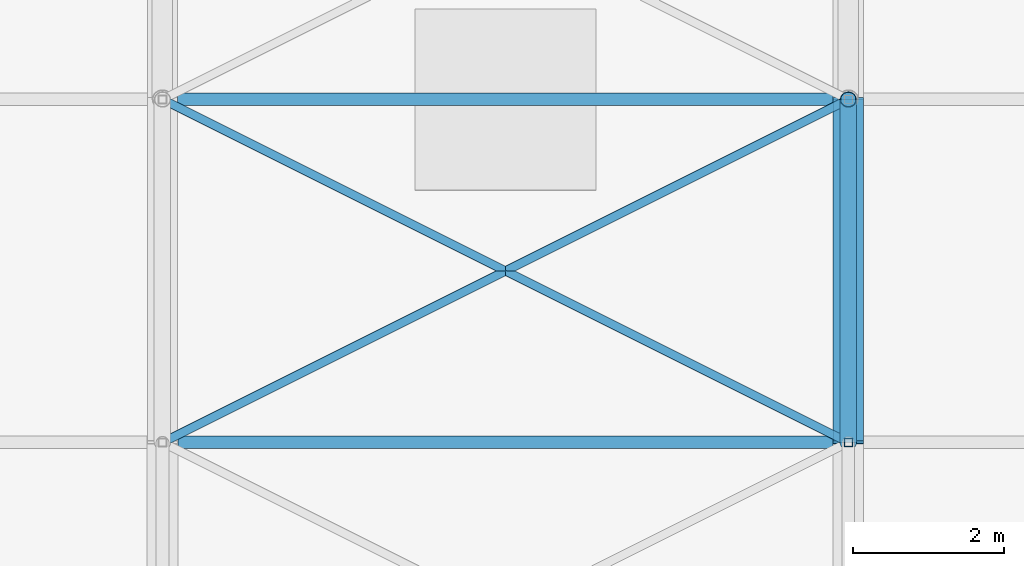
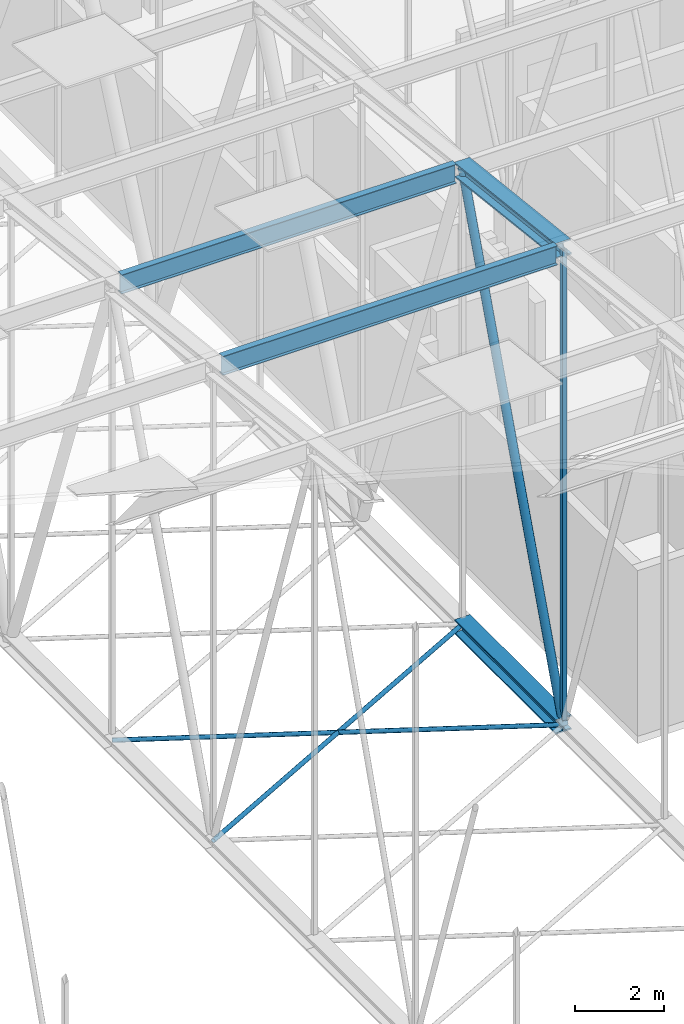
# One storey, part 275 of 500: 8 members.
"""IFC4 building model written with IfcOpenShell, lengths in metres."""

from ifc_helpers import new_model, si_unit, direction, frame, origin, origin_2d, place, context, subcontext, project, spatial, hollow_rectangle, hollow_circle, i_section, extrude, material, material_profile, profile_set, type_object, element, save


model = new_model("IFC4")

# Units and contexts
model_context = context("Model", 3, precision=1e-05, world=origin(), true_north=direction((0.0, 1.0)))
body_context = subcontext(model_context, "Body", "Model", "MODEL_VIEW")
ifc_project = project(units=[si_unit("LENGTHUNIT", "METRE"), si_unit("AREAUNIT", "SQUARE_METRE"), si_unit("VOLUMEUNIT", "CUBIC_METRE"), si_unit("PLANEANGLEUNIT", "RADIAN"), si_unit("MASSUNIT", "GRAM", prefix="KILO")], contexts=[model_context])

# Site, building, storey
site_placement = place(None, origin())
site = spatial("IfcSite", under=ifc_project, at=site_placement, CompositionType="ELEMENT")
building_placement = place(site_placement, origin())
building = spatial("IfcBuilding", under=site, at=building_placement, Name="Shirokan Park Arena", CompositionType="ELEMENT")
storey_placement = place(building_placement, frame((0.0, 0.0, 29.1201171875)))
storey = spatial("IfcBuildingStorey", under=building, at=storey_placement, Name="L06", CompositionType="ELEMENT", Elevation=29.1201171875)

# Members
ifc_material_1 = material(Name="Steel ASTM A992", Category="steel")
ifc_material_profile_1 = material_profile(ifc_material_1, i_section(OverallWidth=0.40087890625, OverallDepth=0.39892578125, WebThickness=0.02490234375, FlangeThickness=0.03955078125, at=origin_2d()), Name="W360X314")
ifc_profile_set_1 = profile_set([ifc_material_profile_1], Name="Steel ASTM A992")
member_type_1 = type_object("IfcMemberType", Name="Bottom chord W360X314", PredefinedType="CHORD", material=ifc_profile_set_1)
member_1_placement = place(storey_placement, frame((100.10009765625, 63.699951171875, 4.677001953125), z_axis=(0.0, 1.0, 0.0), x_axis=(-1.0, 0.0, 0.0)))
element("IfcMember", 1, at=member_1_placement, inside=storey, type_object=member_type_1, Name="Truss T12 bottom chord 17", PredefinedType="CHORD", context=body_context, shape_type="SweptSolid", body=[
    extrude(i_section(OverallWidth=0.40087890625, OverallDepth=0.39892578125, WebThickness=0.02490234375, FlangeThickness=0.03955078125, at=origin_2d()), origin(), (0.0, 0.0, 1.0), 4.550048828125),
])
ifc_material_2 = material(Name="Steel ASTM A500 Grade C", Category="steel")
ifc_material_profile_2 = material_profile(ifc_material_2, hollow_circle(Radius=0.056884765625, WallThickness=0.006103515625, at=origin_2d()), Name="HSS114.3X6")
ifc_profile_set_2 = profile_set([ifc_material_profile_2], Name="Steel ASTM A500 Grade C")
member_type_2 = type_object("IfcMemberType", Name="Plan bracing HSS114.3X6", PredefinedType="BRACE", material=ifc_profile_set_2)
for number, where, z_axis, x_axis, name in (
    (2, (91.0, 63.699951171875, 4.677001953125), (0.894427191, 0.4472135955, 0.0), (-0.4472135955, 0.894427191, 0.0), "Plan bracing bay 11 panel 17 A"),
    (3, (100.10009765625, 63.699951171875, 4.677001953125), (-0.894427191, 0.4472135955, 0.0), (-0.4472135955, -0.894427191, 0.0), "Plan bracing bay 11 panel 17 B"),
):
    element("IfcMember", number, at=place(storey_placement, frame(where, z_axis=z_axis, x_axis=x_axis)), inside=storey, type_object=member_type_2, Name=name, PredefinedType="BRACE", context=body_context, shape_type="SweptSolid", body=[
        extrude(hollow_circle(Radius=0.056884765625, WallThickness=0.006103515625, at=origin_2d()), origin(), (0.0, 0.0, 1.0), 10.17431640625),
    ])
ifc_material_profile_3 = material_profile(ifc_material_1, i_section(OverallWidth=0.166015625, OverallDepth=0.528076171875, WebThickness=0.009765625, FlangeThickness=0.013671875, at=origin_2d()), Name="W530X74")
ifc_profile_set_3 = profile_set([ifc_material_profile_3], Name="Steel ASTM A992")
member_type_3 = type_object("IfcMemberType", Name="Purlin W530X74", PredefinedType="PURLIN", material=ifc_profile_set_3)
member_2_placement = place(storey_placement, frame((91.202880859375, 63.699951171875, 17.685791015625), z_axis=(1.0, 0.0, 0.0), x_axis=(0.0, 1.0, 0.0)))
element("IfcMember", 4, at=member_2_placement, inside=storey, type_object=member_type_3, Name="Purlin 17 bay 11", PredefinedType="PURLIN", context=body_context, shape_type="SweptSolid", body=[
    extrude(i_section(OverallWidth=0.166015625, OverallDepth=0.528076171875, WebThickness=0.009765625, FlangeThickness=0.013671875, at=origin_2d()), origin(), (0.0, 0.0, 1.0), 8.694091796875),
])
member_3_placement = place(storey_placement, frame((91.200439453125, 68.25, 17.165771484375), z_axis=(1.0, 0.0, 0.0), x_axis=(0.0, 1.0, 0.0)))
element("IfcMember", 5, at=member_3_placement, inside=storey, type_object=member_type_3, Name="Purlin 18 bay 11", PredefinedType="PURLIN", context=body_context, shape_type="SweptSolid", body=[
    extrude(i_section(OverallWidth=0.166015625, OverallDepth=0.528076171875, WebThickness=0.009765625, FlangeThickness=0.013671875, at=origin_2d()), origin(), (0.0, 0.0, 1.0), 8.698974609375),
])
ifc_material_profile_4 = material_profile(ifc_material_1, i_section(OverallWidth=0.40087890625, OverallDepth=0.39892578125, WebThickness=0.02490234375, FlangeThickness=0.03955078125, at=origin_2d()), Name="W360X314")
ifc_profile_set_4 = profile_set([ifc_material_profile_4], Name="Steel ASTM A992")
member_type_4 = type_object("IfcMemberType", Name="Top chord W360X314", PredefinedType="CHORD", material=ifc_profile_set_4)
member_4_placement = place(storey_placement, frame((100.10009765625, 63.699951171875, 17.741455078125), z_axis=(0.0, 0.993532328996, -0.113549598152), x_axis=(-1.0, 0.0, 0.0)))
element("IfcMember", 6, at=member_4_placement, inside=storey, type_object=member_type_4, Name="Truss T12 top chord 17", PredefinedType="CHORD", context=body_context, shape_type="SweptSolid", body=[
    extrude(i_section(OverallWidth=0.40087890625, OverallDepth=0.39892578125, WebThickness=0.02490234375, FlangeThickness=0.03955078125, at=origin_2d()), origin(), (0.0, 0.0, 1.0), 4.57958984375),
])
ifc_material_profile_5 = material_profile(ifc_material_2, hollow_circle(Radius=0.109619140625, WallThickness=0.009521484375, at=origin_2d()), Name="HSS219.1X9.5")
ifc_profile_set_5 = profile_set([ifc_material_profile_5], Name="Steel ASTM A500 Grade C")
member_type_5 = type_object("IfcMemberType", Name="Truss diagonal HSS219.1X9.5", PredefinedType="BRACE", material=ifc_profile_set_5)
member_5_placement = place(storey_placement, frame((100.10009765625, 63.699951171875, 4.677001953125), z_axis=(0.0, 0.340977600467, 0.94007142068), x_axis=(-1.0, 0.0, 0.0)))
element("IfcMember", 7, at=member_5_placement, inside=storey, type_object=member_type_5, Name="Truss T12 diagonal 17", PredefinedType="BRACE", context=body_context, shape_type="SweptSolid", body=[
    extrude(hollow_circle(Radius=0.109619140625, WallThickness=0.009521484375, at=origin_2d()), origin(), (0.0, 0.0, 1.0), 13.34423828125),
])
ifc_material_profile_6 = material_profile(ifc_material_2, hollow_rectangle(XDim=0.114013671875, YDim=0.114013671875, WallThickness=0.00634765625, at=origin_2d()), Name="HSS114.3X114.3X6.4")
ifc_profile_set_6 = profile_set([ifc_material_profile_6], Name="Steel ASTM A500 Grade C")
member_type_6 = type_object("IfcMemberType", Name="Truss post HSS114.3X114.3X6.4", PredefinedType="POST", material=ifc_profile_set_6)
member_6_placement = place(storey_placement, frame((100.10009765625, 63.699951171875, 4.677001953125), z_axis=(0.0, 0.0, 1.0), x_axis=(1.0, 0.0, 0.0)))
element("IfcMember", 8, at=member_6_placement, inside=storey, type_object=member_type_6, Name="Truss T12 post 17", PredefinedType="POST", context=body_context, shape_type="SweptSolid", body=[
    extrude(hollow_rectangle(XDim=0.114013671875, YDim=0.114013671875, WallThickness=0.00634765625, at=origin_2d()), origin(), (0.0, 0.0, 1.0), 13.064453125),
])

save(model, "model.ifc")
